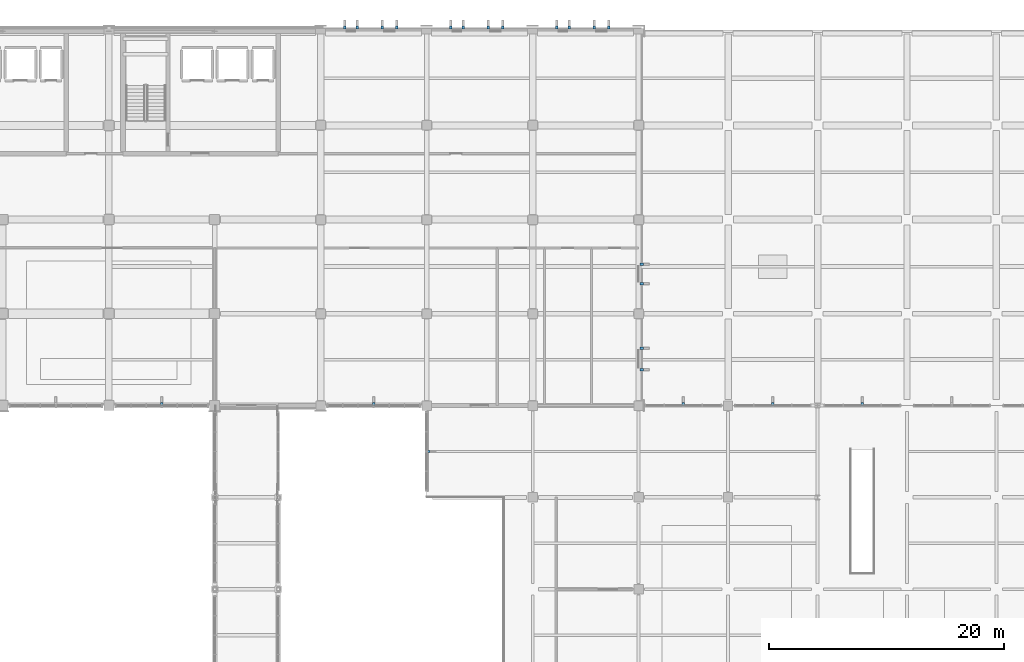
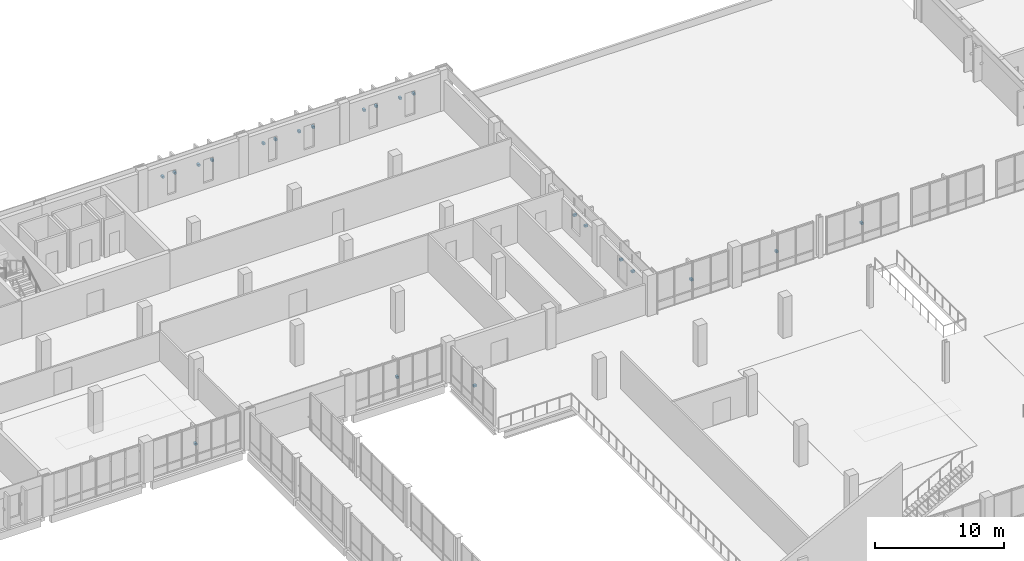
# One storey, part 69 of 85: 22 discrete accessories.
"""IFC4 building model written with IfcOpenShell, lengths in metres."""

from ifc_helpers import new_model, si_unit, direction, frame, origin, origin_2d, place, context, subcontext, project, spatial, rectangle, extrude, material, type_object, element, save


model = new_model("IFC4")

# Units and contexts
model_context = context("Model", 3, precision=1e-05, world=origin(), true_north=direction((0.0, 1.0)))
body_context = subcontext(model_context, "Body", "Model", "MODEL_VIEW")
ifc_project = project(units=[si_unit("LENGTHUNIT", "METRE"), si_unit("AREAUNIT", "SQUARE_METRE"), si_unit("VOLUMEUNIT", "CUBIC_METRE"), si_unit("PLANEANGLEUNIT", "RADIAN"), si_unit("MASSUNIT", "GRAM", prefix="KILO")], contexts=[model_context])

# Site, building, storey
site_placement = place(None, origin())
site = spatial("IfcSite", under=ifc_project, at=site_placement, CompositionType="ELEMENT")
building_placement = place(site_placement, origin())
building = spatial("IfcBuilding", under=site, at=building_placement, Name="Vervanel Yard Central Library", CompositionType="ELEMENT")
storey_placement = place(building_placement, frame((0.0, 0.0, 5.10009765625)))
storey = spatial("IfcBuildingStorey", under=building, at=storey_placement, Name="L01", CompositionType="ELEMENT", Elevation=5.10009765625)

# Discrete accessories
ifc_material = material(Name="Steel ASTM A572 Grade 50", Category="steel")
discrete_accessory_type = type_object("IfcDiscreteAccessoryType", Name="Stainless Solar Fin Fixing Bracket", PredefinedType="BRACKET", material=ifc_material)
for number, where, z_axis, x_axis, name in (
    (1, (83.0400390625, 114.31005859375, 2.0498046875), (0.0, 0.0, 1.0), (1.0, 0.0, 0.0), "L01 Solar Fin Bracket 59"),
    (2, (84.110107421875, 114.31005859375, 2.0498046875), (0.0, 0.0, 1.0), (1.0, 0.0, 0.0), "L01 Solar Fin Bracket 60"),
    (3, (86.239990234375, 114.31005859375, 2.0498046875), (0.0, 0.0, 1.0), (1.0, 0.0, 0.0), "L01 Solar Fin Bracket 61"),
    (4, (87.4599609375, 114.31005859375, 2.0498046875), (0.0, 0.0, 1.0), (1.0, 0.0, 0.0), "L01 Solar Fin Bracket 62"),
    (5, (92.0400390625, 114.31005859375, 2.0498046875), (0.0, 0.0, 1.0), (1.0, 0.0, 0.0), "L01 Solar Fin Bracket 63"),
    (6, (93.110107421875, 114.31005859375, 2.0498046875), (0.0, 0.0, 1.0), (1.0, 0.0, 0.0), "L01 Solar Fin Bracket 64"),
    (7, (95.239990234375, 114.31005859375, 2.0498046875), (0.0, 0.0, 1.0), (1.0, 0.0, 0.0), "L01 Solar Fin Bracket 65"),
    (8, (96.4599609375, 114.31005859375, 2.0498046875), (0.0, 0.0, 1.0), (1.0, 0.0, 0.0), "L01 Solar Fin Bracket 66"),
    (9, (101.0400390625, 114.31005859375, 2.0498046875), (0.0, 0.0, 1.0), (1.0, 0.0, 0.0), "L01 Solar Fin Bracket 67"),
    (10, (102.110107421875, 114.31005859375, 2.0498046875), (0.0, 0.0, 1.0), (1.0, 0.0, 0.0), "L01 Solar Fin Bracket 68"),
    (11, (104.239990234375, 114.31005859375, 2.0498046875), (0.0, 0.0, 1.0), (1.0, 0.0, 0.0), "L01 Solar Fin Bracket 69"),
    (12, (105.4599609375, 114.31005859375, 2.0498046875), (0.0, 0.0, 1.0), (1.0, 0.0, 0.0), "L01 Solar Fin Bracket 70"),
    (13, (67.5, 82.330078125, 1.6650390625), (0.0, 0.0, 1.0), (1.0, 0.0, 0.0), "L01 Solar Fin Bracket 80"),
    (14, (85.5, 82.330078125, 1.6650390625), (0.0, 0.0, 1.0), (1.0, 0.0, 0.0), "L01 Solar Fin Bracket 81"),
    (15, (108.27001953125, 85.239990234375, 1.89990234375), (0.0, 0.0, 1.0), (0.0, 1.0, 0.0), "L01 Solar Fin Bracket 88"),
    (16, (108.27001953125, 87.06005859375, 1.89990234375), (0.0, 0.0, 1.0), (0.0, 1.0, 0.0), "L01 Solar Fin Bracket 89"),
    (17, (108.27001953125, 92.5400390625, 1.77490234375), (0.0, 0.0, 1.0), (0.0, 1.0, 0.0), "L01 Solar Fin Bracket 90"),
    (18, (108.27001953125, 94.2099609375, 1.77490234375), (0.0, 0.0, 1.0), (0.0, 1.0, 0.0), "L01 Solar Fin Bracket 91"),
    (19, (90.1298828125, 78.300048828125, 1.6650390625), (0.0, 0.0, 1.0), (0.0, 1.0, 0.0), "L01 Solar Fin Bracket 438"),
    (20, (111.800048828125, 82.330078125, 1.6650390625), (0.0, 0.0, 1.0), (1.0, 0.0, 0.0), "L01 Solar Fin Bracket 466"),
    (21, (119.39990234375, 82.330078125, 1.6650390625), (0.0, 0.0, 1.0), (1.0, 0.0, 0.0), "L01 Solar Fin Bracket 467"),
    (22, (127.0, 82.330078125, 1.6650390625), (0.0, 0.0, 1.0), (1.0, 0.0, 0.0), "L01 Solar Fin Bracket 468"),
):
    element("IfcDiscreteAccessory", number, at=place(storey_placement, frame(where, z_axis=z_axis, x_axis=x_axis)), inside=storey, type_object=discrete_accessory_type, Name=name, PredefinedType="BRACKET", context=body_context, shape_type="SweptSolid", body=[
        extrude(rectangle(XDim=0.199951171875, YDim=0.280029296875, at=origin_2d()), origin(), (0.0, 0.0, 1.0), 0.199951171875),
    ])

save(model, "model.ifc")
